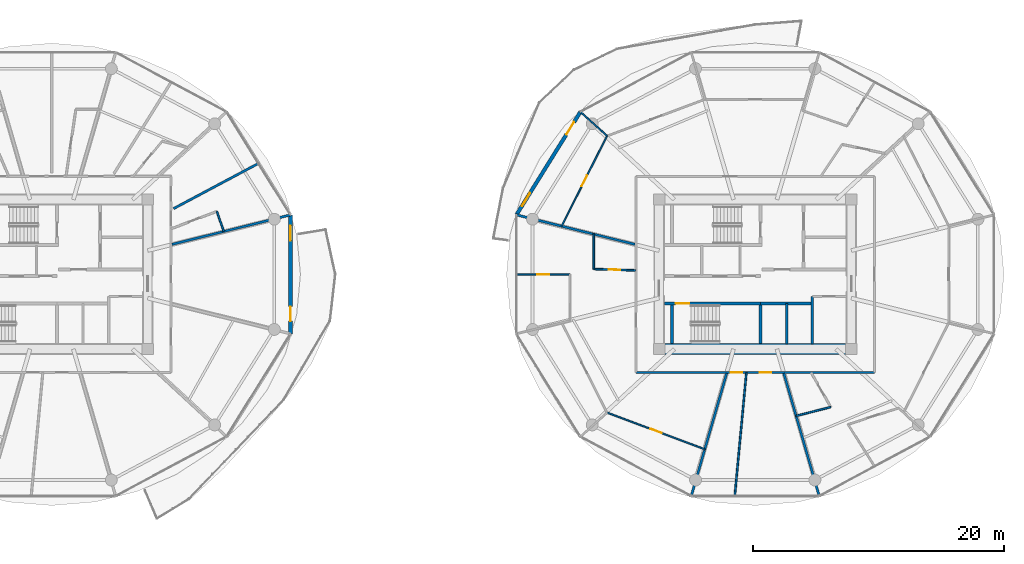
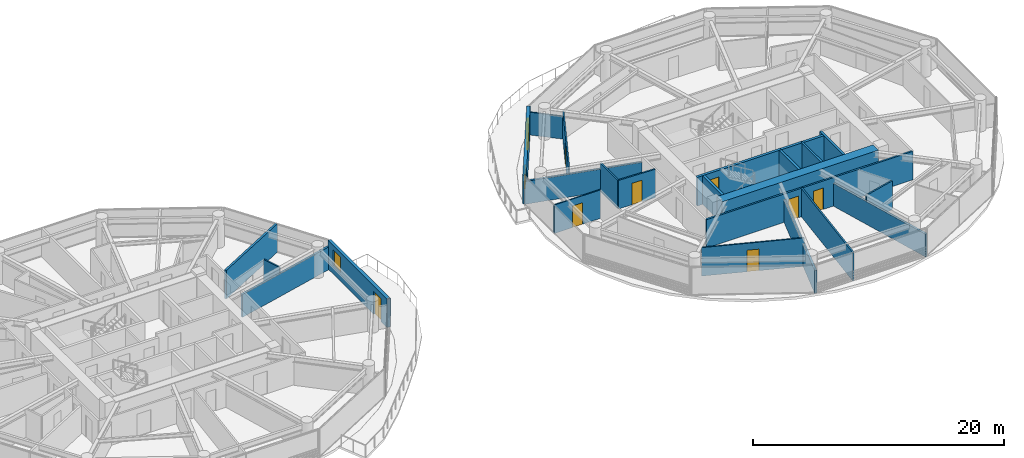
# One storey, part 18 of 27: 24 walls, 9 doors, 2 windows, 11 openings.
"""IFC4 building model written with IfcOpenShell, lengths in metres."""

from ifc_helpers import new_model, si_unit, direction, frame, frame_2d, origin, place, context, subcontext, project, spatial, rectangle, extrude, source, transform, mapped, material, layer, layer_set, type_object, type_shapes, element, fill, save


model = new_model("IFC4")

# Units and contexts
model_context = context("Model", 3, precision=1e-05, world=origin(), true_north=direction((0.0, 1.0)))
body_context = subcontext(model_context, "Body", "Model", "MODEL_VIEW")
ifc_project = project(units=[si_unit("LENGTHUNIT", "METRE"), si_unit("AREAUNIT", "SQUARE_METRE"), si_unit("VOLUMEUNIT", "CUBIC_METRE"), si_unit("PLANEANGLEUNIT", "RADIAN"), si_unit("MASSUNIT", "GRAM", prefix="KILO")], contexts=[model_context])

# Site, building, storey
site_placement = place(None, origin())
site = spatial("IfcSite", under=ifc_project, at=site_placement, CompositionType="ELEMENT")
building_placement = place(site_placement, origin())
building = spatial("IfcBuilding", under=site, at=building_placement, Name="Norrkilde Senior Care Towers", CompositionType="ELEMENT")
storey_placement = place(building_placement, frame((0.0, 0.0, 61.25)))
storey = spatial("IfcBuildingStorey", under=building, at=storey_placement, Name="L18", CompositionType="ELEMENT", Elevation=61.25)

# Wall
ifc_material_1 = material(Name="Concrete C60/75", Category="concrete")
ifc_layer_1 = layer(ifc_material_1, 0.85009765625)
ifc_layer_set_1 = layer_set([ifc_layer_1], Name="Concrete C60/75")
wall_type_1 = type_object("IfcWallType", Name="Core Shear Wall Z1 850", PredefinedType="SHEAR", material=ifc_layer_set_1)
shared_shape_1 = source(origin(), body_context, "Body", "SweptSolid", [
    extrude(rectangle(XDim=14.39990234375, YDim=0.85009765625, at=frame_2d((7.199951171875, 0.0))), origin(), (0.0, 0.0, 1.0), 2.7900390625),
])
type_shapes(wall_type_1, [shared_shape_1])
wall_1_placement = place(storey_placement, frame((35.199951171875, -5.949951171875, 0.0), z_axis=(0.0, 0.0, 1.0), x_axis=(-1.0, 0.0, 0.0)))
element("IfcWall", 1, at=wall_1_placement, inside=storey, type_object=wall_type_1, Name="L18 Core E South Shear Wall", PredefinedType="SHEAR", context=body_context, shape_type="MappedRepresentation", body=[
    mapped(shared_shape_1, transform((0.0, 0.0, 0.0), x_axis=(1.0, 0.0, 0.0), y_axis=(0.0, 1.0, 0.0), z_axis=(0.0, 0.0, 1.0), scale=1.0)),
])

# Wall, openings, door, window
ifc_material_2 = material(Name="Precast concrete C45/55", Category="concrete")
ifc_layer_2 = layer(ifc_material_2, 0.2900390625)
ifc_layer_set_2 = layer_set([ifc_layer_2], Name="Precast concrete C45/55")
wall_type_2 = type_object("IfcWallType", Name="Winter Garden Facade Wall 290", PredefinedType="SOLIDWALL", material=ifc_layer_set_2)
shared_shape_2 = source(origin(), body_context, "Body", "SweptSolid", [
    extrude(rectangle(XDim=9.64892578125, YDim=0.2900390625, at=frame_2d((4.824462890625, 0.0))), origin(), (0.0, 0.0, 1.0), 2.7900390625),
])
wall_2_placement = place(storey_placement, frame((8.990478515625, 4.731201171875, 0.0), z_axis=(0.0, 0.0, 1.0), x_axis=(0.527909458386, 0.849300655684, 0.0)))
wall_2 = element("IfcWall", 2, at=wall_2_placement, inside=storey, type_object=wall_type_2, Name="L18 Drum E Balcony Access Wall 04", PredefinedType="SOLIDWALL", context=body_context, shape_type="MappedRepresentation", body=[
    mapped(shared_shape_2, transform((0.0, 0.0, 0.0), x_axis=(1.0, 0.0, 0.0), y_axis=(0.0, 1.0, 0.0), z_axis=(0.0, 0.0, 1.0), scale=1.0)),
])
opening_1_placement = place(wall_2_placement, frame((7.5400390625, 0.0, 0.0)))
opening_1 = element("IfcOpeningElement", 3, at=opening_1_placement, cuts=wall_2, Name="Opening D-09", PredefinedType="OPENING", context=body_context, shape_type="SweptSolid", body=[
    extrude(rectangle(XDim=1.14990234375, YDim=2.25, at=frame_2d((0.574951171875, 1.125))), frame((0.0, 0.155029296875, 0.0), z_axis=(0.0, -1.0, 0.0), x_axis=(1.0, 0.0, 0.0)), (0.0, 0.0, 1.0), 0.31005859375),
])
opening_2_placement = place(wall_2_placement, frame((0.85009765625, 0.0, 0.85009765625)))
opening_2 = element("IfcOpeningElement", 4, at=opening_2_placement, cuts=wall_2, Name="Opening WN-07", PredefinedType="OPENING", context=body_context, shape_type="SweptSolid", body=[
    extrude(rectangle(XDim=1.199951171875, YDim=1.5, at=frame_2d((0.60009765625, 0.75))), frame((0.0, 0.155029296875, 0.0), z_axis=(0.0, -1.0, 0.0), x_axis=(1.0, 0.0, 0.0)), (0.0, 0.0, 1.0), 0.31005859375),
])
ifc_material_3 = material(Name="Anodised Aluminium", Category="aluminium")
door_type_1 = type_object("IfcDoorType", Name="Terrace and Balcony Glazed Door 1150x2250", OperationType="NOTDEFINED", PredefinedType="DOOR", material=ifc_material_3)
shared_shape_3 = source(origin(), body_context, "Body", "SweptSolid", [
    extrude(rectangle(XDim=1.14990234375, YDim=2.25, at=frame_2d((0.574951171875, 1.125))), frame((0.0, 0.02490234375, 0.0), z_axis=(0.0, -1.0, 0.0), x_axis=(1.0, 0.0, 0.0)), (0.0, 0.0, 1.0), 0.050048828125),
])
type_shapes(door_type_1, [shared_shape_3])
door_1_placement = place(opening_1_placement, origin())
door_1 = element("IfcDoor", 5, at=door_1_placement, inside=storey, type_object=door_type_1, Name="L18 Drum E Outdoor Terrace Door 04", OperationType="SINGLE_SWING_LEFT", OverallHeight=2.25, OverallWidth=1.14990234375, PredefinedType="DOOR", context=body_context, shape_type="MappedRepresentation", body=[
    mapped(shared_shape_3, transform((0.0, 0.0, 0.0), x_axis=(1.0, 0.0, 0.0), y_axis=(0.0, 1.0, 0.0), z_axis=(0.0, 0.0, 1.0), scale=1.0)),
])
fill(opening_1, door_1)
ifc_material_4 = material(Name="Triple Low-E Insulated Glazing", Category="glass")
window_type = type_object("IfcWindowType", Name="Stairwell Smoke Vent Window 1200x1500", PartitioningType="SINGLE_PANEL", PredefinedType="WINDOW", material=ifc_material_4)
shared_shape_4 = source(origin(), body_context, "Body", "SweptSolid", [
    extrude(rectangle(XDim=1.199951171875, YDim=1.5, at=frame_2d((0.60009765625, 0.75))), frame((0.0, 0.030029296875, 0.0), z_axis=(0.0, -1.0, 0.0), x_axis=(1.0, 0.0, 0.0)), (0.0, 0.0, 1.0), 0.06005859375),
])
type_shapes(window_type, [shared_shape_4])
window_1_placement = place(opening_2_placement, origin())
window_1 = element("IfcWindow", 6, at=window_1_placement, inside=storey, type_object=window_type, Name="L18 Drum E Winter Garden Window 04", OverallHeight=1.5, OverallWidth=1.199951171875, PartitioningType="SINGLE_PANEL", PredefinedType="WINDOW", context=body_context, shape_type="MappedRepresentation", body=[
    mapped(shared_shape_4, transform((0.0, 0.0, 0.0), x_axis=(1.0, 0.0, 0.0), y_axis=(0.0, 1.0, 0.0), z_axis=(0.0, 0.0, 1.0), scale=1.0)),
])
fill(opening_2, window_1)

shared_shape_5 = source(origin(), body_context, "Body", "SweptSolid", [
    extrude(rectangle(XDim=9.46240234375, YDim=0.2900390625, at=frame_2d((4.731201171875, 0.0))), origin(), (0.0, 0.0, 1.0), 2.7900390625),
])
type_shapes(wall_type_2, [shared_shape_2, shared_shape_5])
wall_3_placement = place(storey_placement, frame((-8.990478515625, 4.731201171875, 0.0), z_axis=(0.0, 0.0, 1.0), x_axis=(0.0, -1.0, 0.0)))
wall_3 = element("IfcWall", 7, at=wall_3_placement, inside=storey, type_object=wall_type_2, Name="L18 Drum W Balcony Access Wall 11", PredefinedType="SOLIDWALL", context=body_context, shape_type="MappedRepresentation", body=[
    mapped(shared_shape_5, transform((0.0, 0.0, 0.0), x_axis=(1.0, 0.0, 0.0), y_axis=(0.0, 1.0, 0.0), z_axis=(0.0, 0.0, 1.0), scale=1.0)),
])
opening_3_placement = place(wall_3_placement, frame((7.300048828125, 0.0, 0.0)))
opening_3 = element("IfcOpeningElement", 8, at=opening_3_placement, cuts=wall_3, Name="Opening D-09", PredefinedType="OPENING", context=body_context, shape_type="SweptSolid", body=[
    extrude(rectangle(XDim=1.14990234375, YDim=2.25, at=frame_2d((0.574951171875, 1.125))), frame((0.0, 0.155029296875, 0.0), z_axis=(0.0, -1.0, 0.0), x_axis=(1.0, 0.0, 0.0)), (0.0, 0.0, 1.0), 0.31005859375),
])
opening_4_placement = place(wall_3_placement, frame((0.85009765625, 0.0, 0.85009765625)))
opening_4 = element("IfcOpeningElement", 9, at=opening_4_placement, cuts=wall_3, Name="Opening WN-07", PredefinedType="OPENING", context=body_context, shape_type="SweptSolid", body=[
    extrude(rectangle(XDim=1.199951171875, YDim=1.5, at=frame_2d((0.60009765625, 0.75))), frame((0.0, 0.155029296875, 0.0), z_axis=(0.0, -1.0, 0.0), x_axis=(1.0, 0.0, 0.0)), (0.0, 0.0, 1.0), 0.31005859375),
])
door_2_placement = place(opening_3_placement, origin())
door_2 = element("IfcDoor", 10, at=door_2_placement, inside=storey, type_object=door_type_1, Name="L18 Drum W Outdoor Terrace Door 11", OperationType="SINGLE_SWING_RIGHT", OverallHeight=2.25, OverallWidth=1.14990234375, PredefinedType="DOOR", context=body_context, shape_type="MappedRepresentation", body=[
    mapped(shared_shape_3, transform((0.0, 0.0, 0.0), x_axis=(1.0, 0.0, 0.0), y_axis=(0.0, 1.0, 0.0), z_axis=(0.0, 0.0, 1.0), scale=1.0)),
])
fill(opening_3, door_2)
window_2_placement = place(opening_4_placement, origin())
window_2 = element("IfcWindow", 11, at=window_2_placement, inside=storey, type_object=window_type, Name="L18 Drum W Winter Garden Window 11", OverallHeight=1.5, OverallWidth=1.199951171875, PartitioningType="SINGLE_PANEL", PredefinedType="WINDOW", context=body_context, shape_type="MappedRepresentation", body=[
    mapped(shared_shape_4, transform((0.0, 0.0, 0.0), x_axis=(1.0, 0.0, 0.0), y_axis=(0.0, 1.0, 0.0), z_axis=(0.0, 0.0, 1.0), scale=1.0)),
])
fill(opening_4, window_2)

# Walls
ifc_material_5 = material(Name="Concrete C45/55", Category="concrete")
ifc_layer_3 = layer(ifc_material_5, 0.199951171875)
ifc_layer_set_3 = layer_set([ifc_layer_3], Name="Concrete C45/55")
wall_type_3 = type_object("IfcWallType", Name="Shaft Division and Plant Partition 200", PredefinedType="PARTITIONING", material=ifc_layer_set_3)
shared_shape_6 = source(origin(), body_context, "Body", "SweptSolid", [
    extrude(rectangle(XDim=3.800048828125, YDim=0.199951171875, at=frame_2d((1.89990234375, 0.0))), origin(), (0.0, 0.0, 1.0), 2.77490234375),
])
type_shapes(wall_type_3, [shared_shape_6])
wall_4_placement = place(storey_placement, frame((32.550048828125, -5.550048828125, 0.0), z_axis=(0.0, 0.0, 1.0), x_axis=(0.0, 1.0, 0.0)))
element("IfcWall", 12, at=wall_4_placement, inside=storey, type_object=wall_type_3, Name="WL-INT-L18-E-PKBE", PredefinedType="PARTITIONING", context=body_context, shape_type="MappedRepresentation", body=[
    mapped(shared_shape_6, transform((0.0, 0.0, 0.0), x_axis=(1.0, 0.0, 0.0), y_axis=(0.0, 1.0, 0.0), z_axis=(0.0, 0.0, 1.0), scale=1.0)),
])
ifc_layer_4 = layer(ifc_material_5, 0.239990234375)
ifc_layer_set_4 = layer_set([ifc_layer_4], Name="Concrete C45/55")
wall_type_4 = type_object("IfcWallType", Name="Lift and Plant Rated Enclosure Partition 240", PredefinedType="PARTITIONING", material=ifc_layer_set_4)
shared_shape_7 = source(origin(), body_context, "Body", "SweptSolid", [
    extrude(rectangle(XDim=4.130126953125, YDim=0.239990234375, at=frame_2d((2.06494140625, 0.0))), origin(), (0.0, 0.0, 1.0), 2.77490234375),
])
type_shapes(wall_type_4, [shared_shape_7])
wall_5_placement = place(storey_placement, frame((28.419921875, -2.330078125, 0.0), z_axis=(0.0, 0.0, 1.0), x_axis=(1.0, 0.0, 0.0)))
element("IfcWall", 13, at=wall_5_placement, inside=storey, type_object=wall_type_4, Name="WL-INT-L18-E-PKBN", PredefinedType="PARTITIONING", context=body_context, shape_type="MappedRepresentation", body=[
    mapped(shared_shape_7, transform((0.0, 0.0, 0.0), x_axis=(1.0, 0.0, 0.0), y_axis=(0.0, 1.0, 0.0), z_axis=(0.0, 0.0, 1.0), scale=1.0)),
])
ifc_layer_5 = layer(ifc_material_5, 0.179931640625)
ifc_layer_set_5 = layer_set([ifc_layer_5], Name="Concrete C45/55")
wall_type_5 = type_object("IfcWallType", Name="Hoistway Division Rated Partition 180", PredefinedType="PARTITIONING", material=ifc_layer_set_5)
shared_shape_8 = source(origin(), body_context, "Body", "SweptSolid", [
    extrude(rectangle(XDim=3.219970703125, YDim=0.179931640625, at=frame_2d((1.60986328125, 0.0))), origin(), (0.0, 0.0, 1.0), 2.77490234375),
])
type_shapes(wall_type_5, [shared_shape_8])
wall_6_placement = place(storey_placement, frame((30.5, -5.550048828125, 0.0), z_axis=(0.0, 0.0, 1.0), x_axis=(0.0, 1.0, 0.0)))
element("IfcWall", 14, at=wall_6_placement, inside=storey, type_object=wall_type_5, Name="WL-INT-L18-E-PL34", PredefinedType="PARTITIONING", context=body_context, shape_type="MappedRepresentation", body=[
    mapped(shared_shape_8, transform((0.0, 0.0, 0.0), x_axis=(1.0, 0.0, 0.0), y_axis=(0.0, 1.0, 0.0), z_axis=(0.0, 0.0, 1.0), scale=1.0)),
])

# Wall, openings, doors
ifc_material_6 = material(Name="Gypsum Acoustic Board")
ifc_layer_6 = layer(ifc_material_6, 0.1650390625)
ifc_layer_set_6 = layer_set([ifc_layer_6], Name="Gypsum Acoustic Board")
wall_type_6 = type_object("IfcWallType", Name="Corridor Rated Partition 165", PredefinedType="PARTITIONING", material=ifc_layer_set_6)
shared_shape_9 = source(origin(), body_context, "Body", "SweptSolid", [
    extrude(rectangle(XDim=19.0, YDim=0.1650390625, at=frame_2d((9.5, 0.0))), origin(), (0.0, 0.0, 1.0), 2.77490234375),
])
type_shapes(wall_type_6, [shared_shape_9])
wall_7_placement = place(storey_placement, frame((37.5, -7.800048828125, 0.0), z_axis=(0.0, 0.0, 1.0), x_axis=(-1.0, 0.0, 0.0)))
wall_7 = element("IfcWall", 15, at=wall_7_placement, inside=storey, type_object=wall_type_6, Name="WL-INT-L18-E-CRW-S-0", PredefinedType="PARTITIONING", context=body_context, shape_type="MappedRepresentation", body=[
    mapped(shared_shape_9, transform((0.0, 0.0, 0.0), x_axis=(1.0, 0.0, 0.0), y_axis=(0.0, 1.0, 0.0), z_axis=(0.0, 0.0, 1.0), scale=1.0)),
])
opening_5_placement = place(wall_7_placement, frame((10.523193359375, 0.0, 0.0)))
opening_5 = element("IfcOpeningElement", 16, at=opening_5_placement, cuts=wall_7, Name="Opening D-08", PredefinedType="OPENING", context=body_context, shape_type="SweptSolid", body=[
    extrude(rectangle(XDim=0.919921875, YDim=2.10009765625, at=frame_2d((0.4599609375, 1.050048828125))), frame((0.0, 0.092529296875, 0.0), z_axis=(0.0, -1.0, 0.0), x_axis=(1.0, 0.0, 0.0)), (0.0, 0.0, 1.0), 0.18505859375),
])
opening_6_placement = place(wall_7_placement, frame((8.2255859375, 0.0, 0.0)))
opening_6 = element("IfcOpeningElement", 17, at=opening_6_placement, cuts=wall_7, Name="Opening D-08", PredefinedType="OPENING", context=body_context, shape_type="SweptSolid", body=[
    extrude(rectangle(XDim=0.919921875, YDim=2.10009765625, at=frame_2d((0.4599609375, 1.050048828125))), frame((0.0, 0.092529296875, 0.0), z_axis=(0.0, -1.0, 0.0), x_axis=(1.0, 0.0, 0.0)), (0.0, 0.0, 1.0), 0.18505859375),
])
ifc_material_7 = material(Name="Nordic Ash Timber", Category="wood")
door_type_2 = type_object("IfcDoorType", Name="Accessible Wet Room Door 920x2100", OperationType="NOTDEFINED", PredefinedType="DOOR", material=ifc_material_7)
shared_shape_10 = source(origin(), body_context, "Body", "SweptSolid", [
    extrude(rectangle(XDim=0.919921875, YDim=2.10009765625, at=frame_2d((0.4599609375, 1.050048828125))), frame((0.0, 0.02490234375, 0.0), z_axis=(0.0, -1.0, 0.0), x_axis=(1.0, 0.0, 0.0)), (0.0, 0.0, 1.0), 0.050048828125),
])
type_shapes(door_type_2, [shared_shape_10])
door_3_placement = place(opening_5_placement, frame((0.919921875, 0.0, 0.0), z_axis=(0.0, 0.0, 1.0), x_axis=(-1.0, 0.0, 0.0)))
door_3 = element("IfcDoor", 18, at=door_3_placement, inside=storey, type_object=door_type_2, Name="L18 Accessible Restroom Door", OperationType="SINGLE_SWING_LEFT", OverallHeight=2.10009765625, OverallWidth=0.919921875, PredefinedType="DOOR", context=body_context, shape_type="MappedRepresentation", body=[
    mapped(shared_shape_10, transform((0.0, 0.0, 0.0), x_axis=(1.0, 0.0, 0.0), y_axis=(0.0, 1.0, 0.0), z_axis=(0.0, 0.0, 1.0), scale=1.0)),
])
fill(opening_5, door_3)
door_4_placement = place(opening_6_placement, frame((0.919921875, 0.0, 0.0), z_axis=(0.0, 0.0, 1.0), x_axis=(-1.0, 0.0, 0.0)))
door_4 = element("IfcDoor", 19, at=door_4_placement, inside=storey, type_object=door_type_2, Name="L18 Public Restroom Door", OperationType="SINGLE_SWING_RIGHT", OverallHeight=2.10009765625, OverallWidth=0.919921875, PredefinedType="DOOR", context=body_context, shape_type="MappedRepresentation", body=[
    mapped(shared_shape_10, transform((0.0, 0.0, 0.0), x_axis=(1.0, 0.0, 0.0), y_axis=(0.0, 1.0, 0.0), z_axis=(0.0, 0.0, 1.0), scale=1.0)),
])
fill(opening_6, door_4)

# Walls
ifc_layer_7 = layer(ifc_material_6, 0.18994140625)
ifc_layer_set_7 = layer_set([ifc_layer_7], Name="Gypsum Acoustic Board")
wall_type_7 = type_object("IfcWallType", Name="Unit Demising Acoustic Wall 190", PredefinedType="PARTITIONING", material=ifc_layer_set_7)
shared_shape_11 = source(origin(), body_context, "Body", "SweptSolid", [
    extrude(rectangle(XDim=7.6767578125, YDim=0.18994140625, at=frame_2d((3.83837890625, 0.0))), origin(), (0.0, 0.0, 1.0), 2.77490234375),
])
wall_8_placement = place(storey_placement, frame((-18.296875, 5.23095703125, 0.0), z_axis=(0.0, 0.0, 1.0), x_axis=(0.882725057546, 0.469889851753, 0.0)))
element("IfcWall", 20, at=wall_8_placement, inside=storey, type_object=wall_type_7, Name="WL-INT-L18-W-CMID-00", PredefinedType="PARTITIONING", context=body_context, shape_type="MappedRepresentation", body=[
    mapped(shared_shape_11, transform((0.0, 0.0, 0.0), x_axis=(1.0, 0.0, 0.0), y_axis=(0.0, 1.0, 0.0), z_axis=(0.0, 0.0, 1.0), scale=1.0)),
])
ifc_layer_8 = layer(ifc_material_6, 0.139892578125)
ifc_layer_set_8 = layer_set([ifc_layer_8], Name="Gypsum Acoustic Board")
wall_type_8 = type_object("IfcWallType", Name="En-suite Wet Room Wall 140", PredefinedType="PARTITIONING", material=ifc_layer_set_8)
shared_shape_12 = source(origin(), body_context, "Body", "SweptSolid", [
    extrude(rectangle(XDim=1.67578125, YDim=0.139892578125, at=frame_2d((0.837890625, 0.0))), origin(), (0.0, 0.0, 1.0), 2.77490234375),
])
wall_9_placement = place(storey_placement, frame((-14.849853515625, 5.010986328125, 0.0), z_axis=(0.0, 0.0, 1.0), x_axis=(0.327785970556, -0.944752008469, 0.0)))
element("IfcWall", 21, at=wall_9_placement, inside=storey, type_object=wall_type_8, Name="WL-INT-L18-W-EF-00A", PredefinedType="PARTITIONING", context=body_context, shape_type="MappedRepresentation", body=[
    mapped(shared_shape_12, transform((0.0, 0.0, 0.0), x_axis=(1.0, 0.0, 0.0), y_axis=(0.0, 1.0, 0.0), z_axis=(0.0, 0.0, 1.0), scale=1.0)),
])

# Wall, opening, door
ifc_layer_9 = layer(ifc_material_6, 0.114990234375)
ifc_layer_set_9 = layer_set([ifc_layer_9], Name="Gypsum Acoustic Board")
wall_type_9 = type_object("IfcWallType", Name="Internal Room Partition 115", PredefinedType="PARTITIONING", material=ifc_layer_set_9)
shared_shape_13 = source(origin(), body_context, "Body", "SweptSolid", [
    extrude(rectangle(XDim=8.017822265625, YDim=0.114990234375, at=frame_2d((4.0087890625, 0.0))), origin(), (0.0, 0.0, 1.0), 2.77490234375),
])
wall_10_placement = place(storey_placement, frame((16.205078125, 11.013916015625, 0.0), z_axis=(0.0, 0.0, 1.0), x_axis=(-0.450134355233, -0.89296084026, 0.0)))
wall_10 = element("IfcWall", 22, at=wall_10_placement, inside=storey, type_object=wall_type_9, Name="WL-INT-L18-E-UBC-01-3", PredefinedType="PARTITIONING", context=body_context, shape_type="MappedRepresentation", body=[
    mapped(shared_shape_13, transform((0.0, 0.0, 0.0), x_axis=(1.0, 0.0, 0.0), y_axis=(0.0, 1.0, 0.0), z_axis=(0.0, 0.0, 1.0), scale=1.0)),
])
opening_7_placement = place(wall_10_placement, frame((3.533935546875, 0.0, 0.0)))
opening_7 = element("IfcOpeningElement", 23, at=opening_7_placement, cuts=wall_10, Name="Opening D-07", PredefinedType="OPENING", context=body_context, shape_type="SweptSolid", body=[
    extrude(rectangle(XDim=0.949951171875, YDim=2.10009765625, at=frame_2d((0.47509765625, 1.050048828125))), frame((0.0, 0.0673828125, 0.0), z_axis=(0.0, -1.0, 0.0), x_axis=(1.0, 0.0, 0.0)), (0.0, 0.0, 1.0), 0.135009765625),
])
door_type_3 = type_object("IfcDoorType", Name="Internal Suite Bedroom Door 950x2100", OperationType="NOTDEFINED", PredefinedType="DOOR", material=ifc_material_7)
shared_shape_14 = source(origin(), body_context, "Body", "SweptSolid", [
    extrude(rectangle(XDim=0.949951171875, YDim=2.10009765625, at=frame_2d((0.47509765625, 1.050048828125))), frame((0.0, 0.02490234375, 0.0), z_axis=(0.0, -1.0, 0.0), x_axis=(1.0, 0.0, 0.0)), (0.0, 0.0, 1.0), 0.050048828125),
])
type_shapes(door_type_3, [shared_shape_14])
door_5_placement = place(opening_7_placement, origin())
door_5 = element("IfcDoor", 24, at=door_5_placement, inside=storey, type_object=door_type_3, Name="Apartment 18D Bedroom 3 Door", OperationType="SINGLE_SWING_LEFT", OverallHeight=2.10009765625, OverallWidth=0.949951171875, PredefinedType="DOOR", context=body_context, shape_type="MappedRepresentation", body=[
    mapped(shared_shape_14, transform((0.0, 0.0, 0.0), x_axis=(1.0, 0.0, 0.0), y_axis=(0.0, 1.0, 0.0), z_axis=(0.0, 0.0, 1.0), scale=1.0)),
])
fill(opening_7, door_5)

# Wall
shared_shape_15 = source(origin(), body_context, "Body", "SweptSolid", [
    extrude(rectangle(XDim=2.8681640625, YDim=0.139892578125, at=frame_2d((1.43408203125, 0.0))), origin(), (0.0, 0.0, 1.0), 2.77490234375),
])
wall_11_placement = place(storey_placement, frame((34.012939453125, -10.5595703125, 0.0), z_axis=(0.0, 0.0, 1.0), x_axis=(-0.968467705195, -0.249139125778, 0.0)))
element("IfcWall", 25, at=wall_11_placement, inside=storey, type_object=wall_type_8, Name="WL-INT-L18-E-UBTF-09", PredefinedType="PARTITIONING", context=body_context, shape_type="MappedRepresentation", body=[
    mapped(shared_shape_15, transform((0.0, 0.0, 0.0), x_axis=(1.0, 0.0, 0.0), y_axis=(0.0, 1.0, 0.0), z_axis=(0.0, 0.0, 1.0), scale=1.0)),
])

# Wall, opening, door
shared_shape_16 = source(origin(), body_context, "Body", "SweptSolid", [
    extrude(rectangle(XDim=8.31982421875, YDim=0.114990234375, at=frame_2d((4.159912109375, 0.0))), origin(), (0.0, 0.0, 1.0), 2.77490234375),
])
wall_12_placement = place(storey_placement, frame((16.2138671875, -11.005615234375, 0.0), z_axis=(0.0, 0.0, 1.0), x_axis=(0.936180763098, -0.351518959382, 0.0)))
wall_12 = element("IfcWall", 26, at=wall_12_placement, inside=storey, type_object=wall_type_9, Name="WL-INT-L18-E-UBC-05-2", PredefinedType="PARTITIONING", context=body_context, shape_type="MappedRepresentation", body=[
    mapped(shared_shape_16, transform((0.0, 0.0, 0.0), x_axis=(1.0, 0.0, 0.0), y_axis=(0.0, 1.0, 0.0), z_axis=(0.0, 0.0, 1.0), scale=1.0)),
])
opening_8_placement = place(wall_12_placement, frame((3.684814453125, 0.0, 0.0)))
opening_8 = element("IfcOpeningElement", 27, at=opening_8_placement, cuts=wall_12, Name="Opening D-07", PredefinedType="OPENING", context=body_context, shape_type="SweptSolid", body=[
    extrude(rectangle(XDim=0.949951171875, YDim=2.10009765625, at=frame_2d((0.47509765625, 1.050048828125))), frame((0.0, 0.0673828125, 0.0), z_axis=(0.0, -1.0, 0.0), x_axis=(1.0, 0.0, 0.0)), (0.0, 0.0, 1.0), 0.135009765625),
])
door_6_placement = place(opening_8_placement, frame((0.949951171875, 0.0, 0.0), z_axis=(0.0, 0.0, 1.0), x_axis=(-1.0, 0.0, 0.0)))
door_6 = element("IfcDoor", 28, at=door_6_placement, inside=storey, type_object=door_type_3, Name="Apartment 18A Bedroom 2 Door", OperationType="SINGLE_SWING_RIGHT", OverallHeight=2.10009765625, OverallWidth=0.949951171875, PredefinedType="DOOR", context=body_context, shape_type="MappedRepresentation", body=[
    mapped(shared_shape_14, transform((0.0, 0.0, 0.0), x_axis=(1.0, 0.0, 0.0), y_axis=(0.0, 1.0, 0.0), z_axis=(0.0, 0.0, 1.0), scale=1.0)),
])
fill(opening_8, door_6)

shared_shape_17 = source(origin(), body_context, "Body", "SweptSolid", [
    extrude(rectangle(XDim=3.323486328125, YDim=0.139892578125, at=frame_2d((1.66162109375, 0.0))), origin(), (0.0, 0.0, 1.0), 2.77490234375),
])
wall_13_placement = place(storey_placement, frame((18.469970703125, 0.310791015625, 0.0), z_axis=(0.0, 0.0, 1.0), x_axis=(-0.999467979553, 0.032615300817, 0.0)))
wall_13 = element("IfcWall", 29, at=wall_13_placement, inside=storey, type_object=wall_type_8, Name="WL-INT-L18-E-UBTS-05", PredefinedType="PARTITIONING", context=body_context, shape_type="MappedRepresentation", body=[
    mapped(shared_shape_17, transform((0.0, 0.0, 0.0), x_axis=(1.0, 0.0, 0.0), y_axis=(0.0, 1.0, 0.0), z_axis=(0.0, 0.0, 1.0), scale=1.0)),
])
opening_9_placement = place(wall_13_placement, frame((1.201904296875, 0.0, 0.0)))
opening_9 = element("IfcOpeningElement", 30, at=opening_9_placement, cuts=wall_13, Name="Opening D-08", PredefinedType="OPENING", context=body_context, shape_type="SweptSolid", body=[
    extrude(rectangle(XDim=0.919921875, YDim=2.10009765625, at=frame_2d((0.4599609375, 1.050048828125))), frame((0.0, 0.079833984375, 0.0), z_axis=(0.0, -1.0, 0.0), x_axis=(1.0, 0.0, 0.0)), (0.0, 0.0, 1.0), 0.159912109375),
])
door_7_placement = place(opening_9_placement, origin())
door_7 = element("IfcDoor", 31, at=door_7_placement, inside=storey, type_object=door_type_2, Name="Apartment 18A Bathroom Door", OperationType="SINGLE_SWING_LEFT", OverallHeight=2.10009765625, OverallWidth=0.919921875, PredefinedType="DOOR", context=body_context, shape_type="MappedRepresentation", body=[
    mapped(shared_shape_10, transform((0.0, 0.0, 0.0), x_axis=(1.0, 0.0, 0.0), y_axis=(0.0, 1.0, 0.0), z_axis=(0.0, 0.0, 1.0), scale=1.0)),
])
fill(opening_9, door_7)

# Wall
shared_shape_18 = source(origin(), body_context, "Body", "SweptSolid", [
    extrude(rectangle(XDim=2.795166015625, YDim=0.139892578125, at=frame_2d((1.3974609375, 0.0))), origin(), (0.0, 0.0, 1.0), 2.77490234375),
])
wall_14_placement = place(storey_placement, frame((15.148193359375, 0.419189453125, 0.0), z_axis=(0.0, 0.0, 1.0), x_axis=(0.001659531299, 0.999998622977, 0.0)))
element("IfcWall", 32, at=wall_14_placement, inside=storey, type_object=wall_type_8, Name="WL-INT-L18-E-UBTF-05", PredefinedType="PARTITIONING", context=body_context, shape_type="MappedRepresentation", body=[
    mapped(shared_shape_18, transform((0.0, 0.0, 0.0), x_axis=(1.0, 0.0, 0.0), y_axis=(0.0, 1.0, 0.0), z_axis=(0.0, 0.0, 1.0), scale=1.0)),
])

# Wall, opening, door
ifc_layer_10 = layer(ifc_material_5, 0.239990234375)
ifc_layer_set_10 = layer_set([ifc_layer_10], Name="Concrete C45/55")
wall_type_10 = type_object("IfcWallType", Name="Shaft and Stair Enclosure Wall 240", PredefinedType="PARTITIONING", material=ifc_layer_set_10)
shared_shape_19 = source(origin(), body_context, "Body", "SweptSolid", [
    extrude(rectangle(XDim=7.76513671875, YDim=0.239990234375, at=frame_2d((3.882568359375, 0.0))), origin(), (0.0, 0.0, 1.0), 2.7900390625),
])
wall_15_placement = place(storey_placement, frame((20.77490234375, -2.330078125, 0.0), z_axis=(0.0, 0.0, 1.0), x_axis=(1.0, 0.0, 0.0)))
wall_15 = element("IfcWall", 33, at=wall_15_placement, inside=storey, type_object=wall_type_10, Name="WL-INT-L18-E-ST2N", PredefinedType="PARTITIONING", context=body_context, shape_type="MappedRepresentation", body=[
    mapped(shared_shape_19, transform((0.0, 0.0, 0.0), x_axis=(1.0, 0.0, 0.0), y_axis=(0.0, 1.0, 0.0), z_axis=(0.0, 0.0, 1.0), scale=1.0)),
])
opening_10_placement = place(wall_15_placement, frame((0.885009765625, 0.0, 0.0)))
opening_10 = element("IfcOpeningElement", 34, at=opening_10_placement, cuts=wall_15, Name="Opening D-03", PredefinedType="OPENING", context=body_context, shape_type="SweptSolid", body=[
    extrude(rectangle(XDim=1.10009765625, YDim=2.14990234375, at=frame_2d((0.550048828125, 1.074951171875))), frame((0.0, 0.1298828125, 0.0), z_axis=(0.0, -1.0, 0.0), x_axis=(1.0, 0.0, 0.0)), (0.0, 0.0, 1.0), 0.260009765625),
])
ifc_material_8 = material(Name="Galvanised Painted Steel", Category="steel")
door_type_4 = type_object("IfcDoorType", Name="Stairwell Protected Fire Door 1100x2150", OperationType="NOTDEFINED", PredefinedType="DOOR", material=ifc_material_8)
shared_shape_20 = source(origin(), body_context, "Body", "SweptSolid", [
    extrude(rectangle(XDim=1.10009765625, YDim=2.14990234375, at=frame_2d((0.550048828125, 1.074951171875))), frame((0.0, 0.02490234375, 0.0), z_axis=(0.0, -1.0, 0.0), x_axis=(1.0, 0.0, 0.0)), (0.0, 0.0, 1.0), 0.050048828125),
])
type_shapes(door_type_4, [shared_shape_20])
door_8_placement = place(opening_10_placement, frame((1.10009765625, 0.0, 0.0), z_axis=(0.0, 0.0, 1.0), x_axis=(-1.0, 0.0, 0.0)))
door_8 = element("IfcDoor", 35, at=door_8_placement, inside=storey, type_object=door_type_4, Name="L18 Stair E2 Fire Door", OperationType="SINGLE_SWING_RIGHT", OverallHeight=2.14990234375, OverallWidth=1.10009765625, PredefinedType="DOOR", context=body_context, shape_type="MappedRepresentation", body=[
    mapped(shared_shape_20, transform((0.0, 0.0, 0.0), x_axis=(1.0, 0.0, 0.0), y_axis=(0.0, 1.0, 0.0), z_axis=(0.0, 0.0, 1.0), scale=1.0)),
])
fill(opening_10, door_8)

# Walls
shared_shape_21 = source(origin(), body_context, "Body", "SweptSolid", [
    extrude(rectangle(XDim=3.074951171875, YDim=0.239990234375, at=frame_2d((1.53759765625, 0.0))), origin(), (0.0, 0.0, 1.0), 2.7900390625),
])
type_shapes(wall_type_10, [shared_shape_19, shared_shape_21])
for number, where, z_axis, x_axis, name in (
    (36, (21.3798828125, -5.52490234375, 0.0), (0.0, 0.0, 1.0), (0.0, 1.0, 0.0), "WL-INT-L18-E-ST2W"),
    (37, (28.419921875, -5.52490234375, 0.0), (0.0, 0.0, 1.0), (0.0, 1.0, 0.0), "WL-INT-L18-E-ST2E"),
):
    element("IfcWall", number, at=place(storey_placement, frame(where, z_axis=z_axis, x_axis=x_axis)), inside=storey, type_object=wall_type_10, Name=name, PredefinedType="PARTITIONING", context=body_context, shape_type="MappedRepresentation", body=[
        mapped(shared_shape_21, transform((0.0, 0.0, 0.0), x_axis=(1.0, 0.0, 0.0), y_axis=(0.0, 1.0, 0.0), z_axis=(0.0, 0.0, 1.0), scale=1.0)),
    ])
shared_shape_22 = source(origin(), body_context, "Body", "SweptSolid", [
    extrude(rectangle(XDim=10.196044921875, YDim=0.18994140625, at=frame_2d((5.09814453125, 0.0))), origin(), (0.0, 0.0, 1.0), 2.22509765625),
])
for number, where, z_axis, x_axis, name in (
    (38, (25.72705078125, -7.8798828125, 0.0), (0.0, 0.0, 1.0), (-0.277136420347, -0.960830580549, 0.0), "WL-INT-L18-E-DEM-08-0"),
    (39, (30.27294921875, -7.8798828125, 0.0), (0.0, 0.0, 1.0), (0.277136420347, -0.960830580549, 0.0), "WL-INT-L18-E-DEM-09-0"),
):
    element("IfcWall", number, at=place(storey_placement, frame(where, z_axis=z_axis, x_axis=x_axis)), inside=storey, type_object=wall_type_7, Name=name, PredefinedType="PARTITIONING", context=body_context, shape_type="MappedRepresentation", body=[
        mapped(shared_shape_22, transform((0.0, 0.0, 0.0), x_axis=(1.0, 0.0, 0.0), y_axis=(0.0, 1.0, 0.0), z_axis=(0.0, 0.0, 1.0), scale=1.0)),
    ])
shared_shape_23 = source(origin(), body_context, "Body", "SweptSolid", [
    extrude(rectangle(XDim=9.737060546875, YDim=0.18994140625, at=frame_2d((4.86865234375, 0.0))), origin(), (0.0, 0.0, 1.0), 2.22509765625),
])
type_shapes(wall_type_7, [shared_shape_11, shared_shape_22, shared_shape_23])
for number, where, z_axis, x_axis, name in (
    (40, (-18.419921875, 2.384521484375, 0.0), (0.0, 0.0, 1.0), (0.970392716238, 0.241532557375, 0.0), "WL-INT-L18-W-DEM-00-0"),
    (41, (18.419921875, 2.384521484375, 0.0), (0.0, 0.0, 1.0), (-0.970392716238, 0.241532557375, 0.0), "WL-INT-L18-E-DEM-05-0"),
):
    element("IfcWall", number, at=place(storey_placement, frame(where, z_axis=z_axis, x_axis=x_axis)), inside=storey, type_object=wall_type_7, Name=name, PredefinedType="PARTITIONING", context=body_context, shape_type="MappedRepresentation", body=[
        mapped(shared_shape_23, transform((0.0, 0.0, 0.0), x_axis=(1.0, 0.0, 0.0), y_axis=(0.0, 1.0, 0.0), z_axis=(0.0, 0.0, 1.0), scale=1.0)),
    ])
shared_shape_24 = source(origin(), body_context, "Body", "SweptSolid", [
    extrude(rectangle(XDim=9.89013671875, YDim=0.139892578125, at=frame_2d((4.945068359375, 0.0))), origin(), (0.0, 0.0, 1.0), 2.77490234375),
])
type_shapes(wall_type_8, [shared_shape_12, shared_shape_15, shared_shape_17, shared_shape_18, shared_shape_24])
wall_16_placement = place(storey_placement, frame((27.2958984375, -7.830078125, 0.0), z_axis=(0.0, 0.0, 1.0), x_axis=(-0.093780403478, -0.995592906726, 0.0)))
element("IfcWall", 42, at=wall_16_placement, inside=storey, type_object=wall_type_8, Name="WL-INT-L18-E-MID-08", PredefinedType="PARTITIONING", context=body_context, shape_type="MappedRepresentation", body=[
    mapped(shared_shape_24, transform((0.0, 0.0, 0.0), x_axis=(1.0, 0.0, 0.0), y_axis=(0.0, 1.0, 0.0), z_axis=(0.0, 0.0, 1.0), scale=1.0)),
])

# Wall, opening, door
shared_shape_25 = source(origin(), body_context, "Body", "SweptSolid", [
    extrude(rectangle(XDim=4.27880859375, YDim=0.114990234375, at=frame_2d((2.139404296875, 0.0))), origin(), (0.0, 0.0, 1.0), 2.77490234375),
])
wall_17_placement = place(storey_placement, frame((13.25, 0.0, 0.0), z_axis=(0.0, 0.0, 1.0), x_axis=(-1.0, 0.0, 0.0)))
wall_17 = element("IfcWall", 43, at=wall_17_placement, inside=storey, type_object=wall_type_9, Name="WL-INT-L18-E-UKTS-05", PredefinedType="PARTITIONING", context=body_context, shape_type="MappedRepresentation", body=[
    mapped(shared_shape_25, transform((0.0, 0.0, 0.0), x_axis=(1.0, 0.0, 0.0), y_axis=(0.0, 1.0, 0.0), z_axis=(0.0, 0.0, 1.0), scale=1.0)),
])
opening_11_placement = place(wall_17_placement, frame((1.664306640625, 0.0, 0.0)))
opening_11 = element("IfcOpeningElement", 44, at=opening_11_placement, cuts=wall_17, Name="Opening D-07", PredefinedType="OPENING", context=body_context, shape_type="SweptSolid", body=[
    extrude(rectangle(XDim=0.949951171875, YDim=2.10009765625, at=frame_2d((0.47509765625, 1.050048828125))), frame((0.0, 0.0673828125, 0.0), z_axis=(0.0, -1.0, 0.0), x_axis=(1.0, 0.0, 0.0)), (0.0, 0.0, 1.0), 0.135009765625),
])
door_9_placement = place(opening_11_placement, frame((0.949951171875, 0.0, 0.0), z_axis=(0.0, 0.0, 1.0), x_axis=(-1.0, 0.0, 0.0)))
door_9 = element("IfcDoor", 45, at=door_9_placement, inside=storey, type_object=door_type_3, Name="Apartment 18A Kitchen Door", OperationType="SINGLE_SWING_RIGHT", OverallHeight=2.10009765625, OverallWidth=0.949951171875, PredefinedType="DOOR", context=body_context, shape_type="MappedRepresentation", body=[
    mapped(shared_shape_14, transform((0.0, 0.0, 0.0), x_axis=(1.0, 0.0, 0.0), y_axis=(0.0, 1.0, 0.0), z_axis=(0.0, 0.0, 1.0), scale=1.0)),
])
fill(opening_11, door_9)

# Wall
shared_shape_26 = source(origin(), body_context, "Body", "SweptSolid", [
    extrude(rectangle(XDim=2.87548828125, YDim=0.114990234375, at=frame_2d((1.437744140625, 0.0))), origin(), (0.0, 0.0, 1.0), 2.22509765625),
])
type_shapes(wall_type_9, [shared_shape_13, shared_shape_16, shared_shape_25, shared_shape_26])
wall_18_placement = place(storey_placement, frame((16.205078125, 11.013916015625, 0.0), z_axis=(0.0, 0.0, 1.0), x_axis=(-0.742512588127, 0.669832110661, 0.0)))
element("IfcWall", 46, at=wall_18_placement, inside=storey, type_object=wall_type_9, Name="WL-INT-L18-E-UBR-01-3", PredefinedType="PARTITIONING", context=body_context, shape_type="MappedRepresentation", body=[
    mapped(shared_shape_26, transform((0.0, 0.0, 0.0), x_axis=(1.0, 0.0, 0.0), y_axis=(0.0, 1.0, 0.0), z_axis=(0.0, 0.0, 1.0), scale=1.0)),
])

save(model, "model.ifc")
